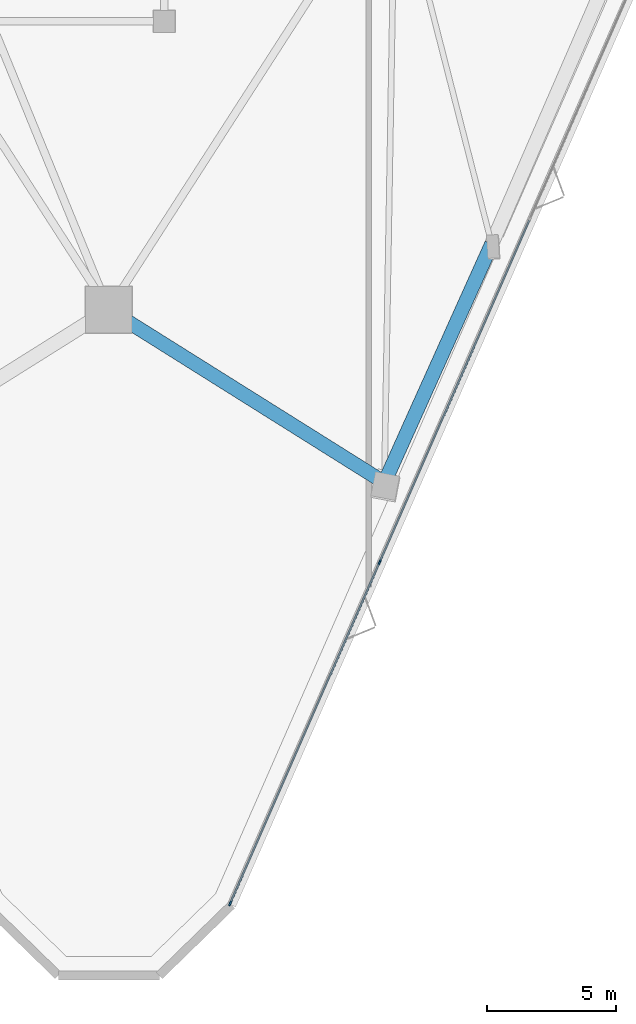
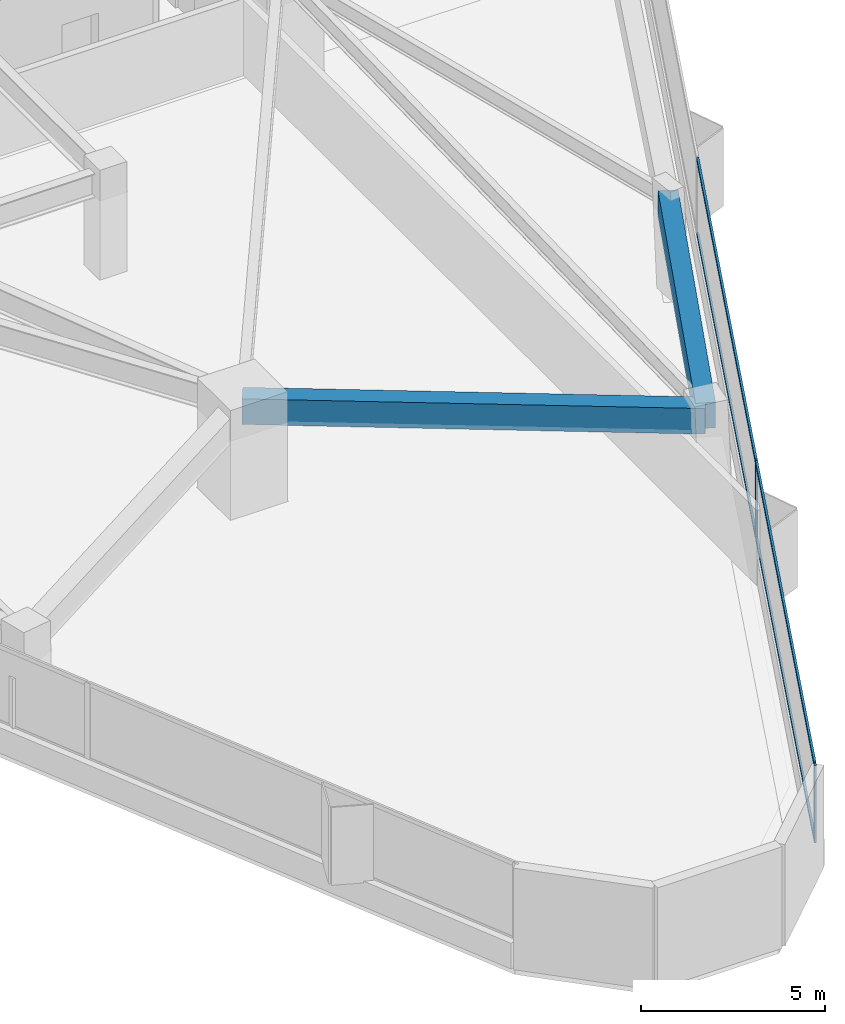
# One storey, part 4 of 21: 6 members, 2 beams, 1 element without a shape of its own.
"""IFC4 building model written with IfcOpenShell, lengths in metres."""

from ifc_helpers import new_model, si_unit, direction, frame, origin, origin_2d, place, context, subcontext, project, spatial, rectangle, extrude, material, layer, layer_set, material_profile, profile_set, type_object, element, aggregate, save


model = new_model("IFC4")

# Units and contexts
model_context = context("Model", 3, precision=1e-05, world=origin(), true_north=direction((0.0, 1.0)))
body_context = subcontext(model_context, "Body", "Model", "MODEL_VIEW")
ifc_project = project(units=[si_unit("LENGTHUNIT", "METRE"), si_unit("AREAUNIT", "SQUARE_METRE"), si_unit("VOLUMEUNIT", "CUBIC_METRE"), si_unit("PLANEANGLEUNIT", "RADIAN"), si_unit("MASSUNIT", "GRAM", prefix="KILO")], contexts=[model_context])

# Site, building, storey
site_placement = place(None, origin())
site = spatial("IfcSite", under=ifc_project, at=site_placement, CompositionType="ELEMENT")
building_placement = place(site_placement, origin())
building = spatial("IfcBuilding", under=site, at=building_placement, Name="Talyreon Biosciences Tower", CompositionType="ELEMENT")
storey_placement = place(building_placement, frame((0.0, 0.0, 33.75)))
storey = spatial("IfcBuildingStorey", under=building, at=storey_placement, Name="L08", CompositionType="ELEMENT", Elevation=33.75)

# Curtain wall, members
ifc_material_1 = material(Name="Thermally broken aluminium and low-E glazing", Category="aluminium")
ifc_layer = layer(ifc_material_1, 0.195068359375)
ifc_layer_set = layer_set([ifc_layer], Name="Thermally broken aluminium and low-E glazing")
curtain_wall_type = type_object("IfcCurtainWallType", Name="CurtainWall_Zone1WetLab", PredefinedType="NOTDEFINED", material=ifc_layer_set)
curtain_wall_placement = place(storey_placement, origin())
curtain_wall = element("IfcCurtainWall", 1, at=curtain_wall_placement, inside=storey, type_object=curtain_wall_type, Name="L08 Unitised Curtain Wall FCW-L08-08", PredefinedType="NOTDEFINED")
ifc_material_2 = material(Name="Anodised thermally broken aluminium", Category="aluminium")
ifc_material_profile_1 = material_profile(ifc_material_2, rectangle(XDim=0.06494140625, YDim=0.179931640625, at=origin_2d()), Name="ALUM MULLION 65x180")
ifc_profile_set_1 = profile_set([ifc_material_profile_1], Name="Anodised thermally broken aluminium")
member_type_1 = type_object("IfcMemberType", Name="CWMullion_65x180", PredefinedType="MULLION", material=ifc_profile_set_1)
member_1_placement = place(storey_placement, frame((76.4990234375, 31.884033203125, 0.81005859375), z_axis=(0.0, 0.0, 1.0), x_axis=(0.915980408101, -0.401222995321, 0.0)))
member_1 = element("IfcMember", 2, at=member_1_placement, type_object=member_type_1, Name="CW2 mullion 5", PredefinedType="MULLION", context=body_context, shape_type="SweptSolid", body=[
    extrude(rectangle(XDim=0.06494140625, YDim=0.179931640625, at=origin_2d()), origin(), (0.0, 0.0, 1.0), 2.56494140625),
])
member_2_placement = place(storey_placement, frame((70.702880859375, 18.651611328125, 0.81005859375), z_axis=(0.0, 0.0, 1.0), x_axis=(0.915980408101, -0.401222995321, 0.0)))
member_2 = element("IfcMember", 3, at=member_2_placement, type_object=member_type_1, Name="CW2 mullion 6", PredefinedType="MULLION", context=body_context, shape_type="SweptSolid", body=[
    extrude(rectangle(XDim=0.06494140625, YDim=0.179931640625, at=origin_2d()), origin(), (0.0, 0.0, 1.0), 2.56494140625),
])
ifc_material_profile_2 = material_profile(ifc_material_2, rectangle(XDim=0.06494140625, YDim=0.139892578125, at=origin_2d()), Name="ALUM TRANSOM 65x140")
ifc_profile_set_2 = profile_set([ifc_material_profile_2], Name="Anodised thermally broken aluminium")
member_type_2 = type_object("IfcMemberType", Name="CWTransom_65x140", PredefinedType="USERDEFINED", material=ifc_profile_set_2)
member_3_placement = place(storey_placement, frame((82.295166015625, 45.11669921875, 0.842529296875), z_axis=(-0.401223081321, -0.915980370431, 0.0), x_axis=(0.915980370431, -0.401223081321, 0.0)))
member_3 = element("IfcMember", 4, at=member_3_placement, type_object=member_type_2, Name="CW2 transom 4.1", ObjectType="TRANSOM", PredefinedType="USERDEFINED", context=body_context, shape_type="SweptSolid", body=[
    extrude(rectangle(XDim=0.06494140625, YDim=0.139892578125, at=origin_2d()), origin(), (0.0, 0.0, 1.0), 14.413818359375),
])
member_4_placement = place(storey_placement, frame((82.295166015625, 45.11669921875, 3.342529296875), z_axis=(-0.401223081321, -0.915980370431, 0.0), x_axis=(0.915980370431, -0.401223081321, 0.0)))
member_4 = element("IfcMember", 5, at=member_4_placement, type_object=member_type_2, Name="CW2 transom 4.2", ObjectType="TRANSOM", PredefinedType="USERDEFINED", context=body_context, shape_type="SweptSolid", body=[
    extrude(rectangle(XDim=0.06494140625, YDim=0.139892578125, at=origin_2d()), origin(), (0.0, 0.0, 1.0), 14.413818359375),
])
member_5_placement = place(storey_placement, frame((76.486083984375, 31.854248046875, 0.842529296875), z_axis=(-0.401235575377, -0.91597489761, 0.0), x_axis=(0.91597489761, -0.401235575377, 0.0)))
member_5 = element("IfcMember", 6, at=member_5_placement, type_object=member_type_2, Name="CW2 transom 5.1", ObjectType="TRANSOM", PredefinedType="USERDEFINED", context=body_context, shape_type="SweptSolid", body=[
    extrude(rectangle(XDim=0.06494140625, YDim=0.139892578125, at=origin_2d()), origin(), (0.0, 0.0, 1.0), 14.38134765625),
])
member_6_placement = place(storey_placement, frame((76.486083984375, 31.854248046875, 3.342529296875), z_axis=(-0.401235575377, -0.91597489761, 0.0), x_axis=(0.91597489761, -0.401235575377, 0.0)))
member_6 = element("IfcMember", 7, at=member_6_placement, type_object=member_type_2, Name="CW2 transom 5.2", ObjectType="TRANSOM", PredefinedType="USERDEFINED", context=body_context, shape_type="SweptSolid", body=[
    extrude(rectangle(XDim=0.06494140625, YDim=0.139892578125, at=origin_2d()), origin(), (0.0, 0.0, 1.0), 14.38134765625),
])
aggregate(curtain_wall, [member_1, member_2, member_3, member_4, member_5, member_6])

# Beams
ifc_material_3 = material(Name="Precast concrete C45/55", Category="concrete")
ifc_material_profile_3 = material_profile(ifc_material_3, rectangle(XDim=0.550048828125, YDim=0.85009765625, at=origin_2d()), Name="RCB 550x850")
ifc_profile_set_3 = profile_set([ifc_material_profile_3], Name="Precast concrete C45/55")
beam_type = type_object("IfcBeamType", Name="ExpressedSpandrel_550x850", PredefinedType="SPANDREL", material=ifc_profile_set_3)
beam_1_placement = place(storey_placement, frame((66.0, 41.6669921875, 2.949951171875), z_axis=(0.847084404638, -0.531458381643, 0.0), x_axis=(0.531458381643, 0.847084404638, 0.0)))
element("IfcBeam", 8, at=beam_1_placement, inside=storey, type_object=beam_type, Name="L08 Expressed Horizontal Concrete Spandrel 01", PredefinedType="SPANDREL", context=body_context, shape_type="SweptSolid", body=[
    extrude(rectangle(XDim=0.550048828125, YDim=0.85009765625, at=origin_2d()), origin(), (0.0, 0.0, 1.0), 12.609130859375),
])
beam_2_placement = place(storey_placement, frame((76.680908203125, 34.9658203125, 2.949951171875), z_axis=(0.41023547167, 0.911979636715, 0.0), x_axis=(-0.911979636715, 0.41023547167, 0.0)))
element("IfcBeam", 9, at=beam_2_placement, inside=storey, type_object=beam_type, Name="L08 Expressed Horizontal Concrete Spandrel 02", PredefinedType="SPANDREL", context=body_context, shape_type="SweptSolid", body=[
    extrude(rectangle(XDim=0.550048828125, YDim=0.85009765625, at=origin_2d()), origin(), (0.0, 0.0, 1.0), 10.135498046875),
])

save(model, "model.ifc")
